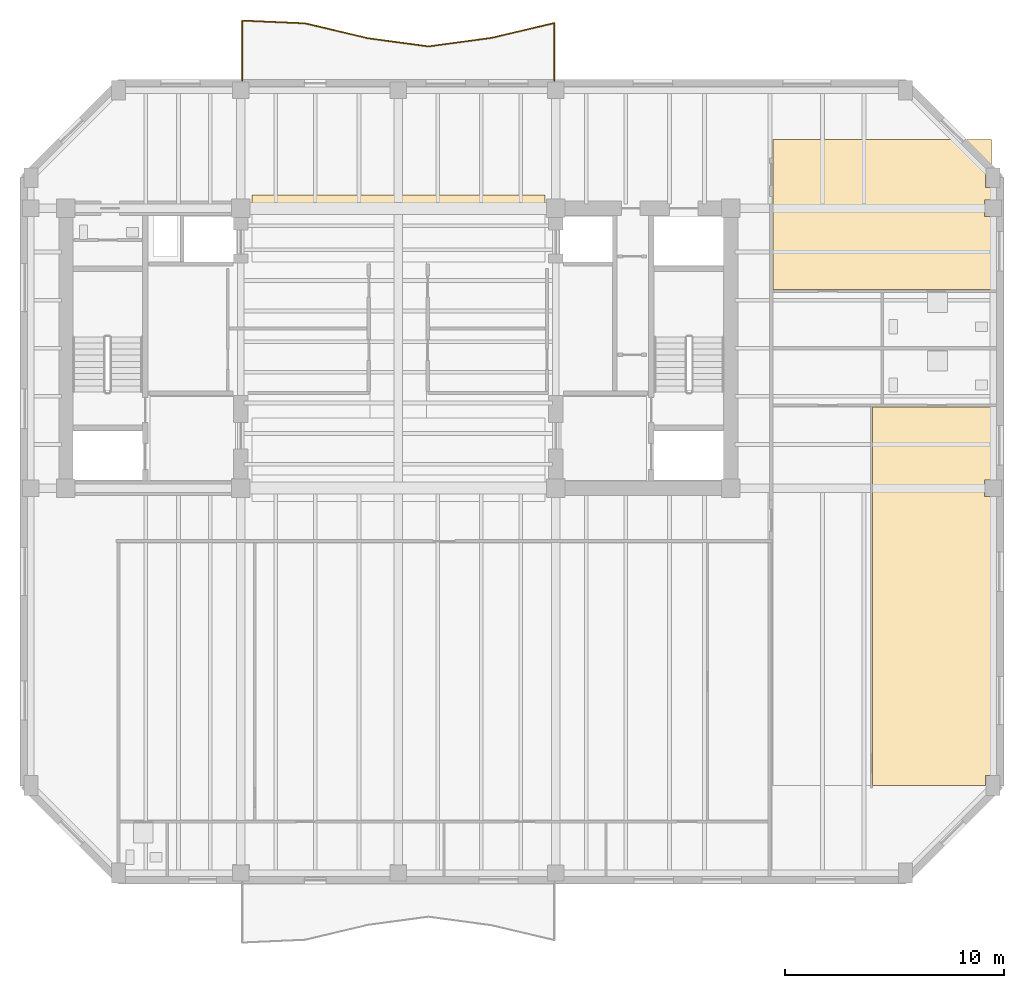
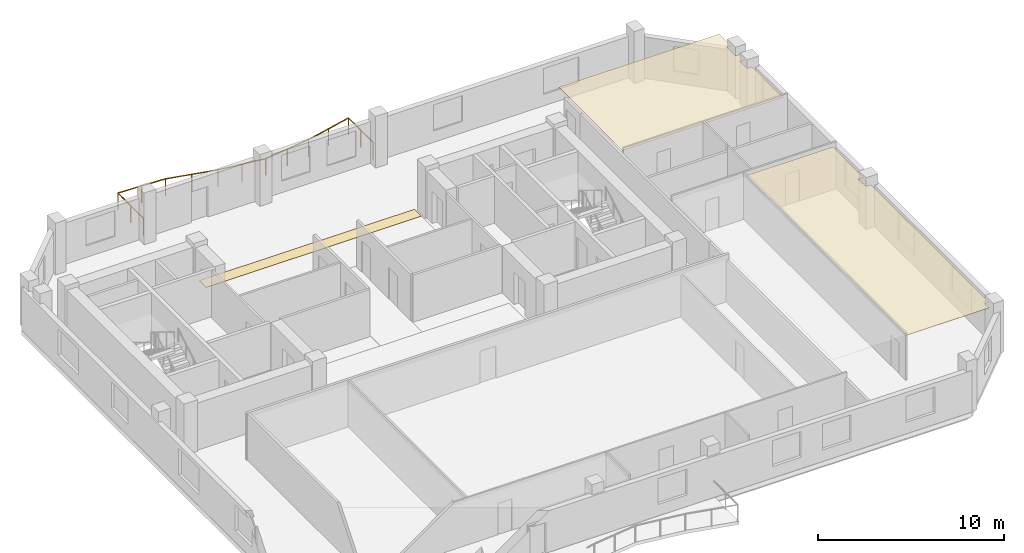
# One storey, part 8 of 9: 3 coverings, 1 railing.
"""IFC4 building model written with IfcOpenShell, lengths in metres."""

from ifc_helpers import new_model, si_unit, direction, frame, origin, origin_2d, place, context, subcontext, project, spatial, polyline, circle, outline, extrude, material, layer, layer_set, type_object, element, save


model = new_model("IFC4")

# Units and contexts
model_context = context("Model", 3, precision=1e-05, world=origin(), true_north=direction((0.0, 1.0)))
body_context = subcontext(model_context, "Body", "Model", "MODEL_VIEW")
ifc_project = project(units=[si_unit("LENGTHUNIT", "METRE"), si_unit("AREAUNIT", "SQUARE_METRE"), si_unit("VOLUMEUNIT", "CUBIC_METRE"), si_unit("PLANEANGLEUNIT", "RADIAN"), si_unit("MASSUNIT", "GRAM", prefix="KILO")], contexts=[model_context])

# Site, building, storey
site_placement = place(None, origin())
site = spatial("IfcSite", under=ifc_project, at=site_placement, CompositionType="ELEMENT")
building_placement = place(site_placement, origin())
building = spatial("IfcBuilding", under=site, at=building_placement, Name="Kranthara Brick Stack", CompositionType="ELEMENT")
storey_placement = place(building_placement, frame((0.0, 0.0, 238.10009765625)))
storey = spatial("IfcBuildingStorey", under=building, at=storey_placement, Name="L62", CompositionType="ELEMENT", Elevation=238.10009765625)

# Coverings
ifc_material_1 = material(Name="Perforated mineral-fibre acoustic ceiling tile", Category="other")
ifc_layer_1 = layer(ifc_material_1, 0.02490234375)
ifc_layer_set_1 = layer_set([ifc_layer_1], Name="Perforated mineral-fibre acoustic ceiling tile")
covering_type_1 = type_object("IfcCoveringType", Name="COV-CEIL-ACOUSTIC", PredefinedType="CEILING", material=ifc_layer_set_1)
covering_1_placement = place(storey_placement, frame((0.0, 0.0, 2.829833984375)))
element("IfcCovering", 1, at=covering_1_placement, inside=storey, type_object=covering_type_1, Name="L62 Unit L62B Private Study Room Acoustic Ceiling", PredefinedType="CEILING", context=body_context, shape_type="SweptSolid", body=[
    extrude(outline(polyline([(49.696044921875, 24.510009765625), (55.1298828125, 24.510009765625), (55.1298828125, 21.18505859375), (54.81494140625, 21.18505859375), (54.81494140625, 20.4150390625), (55.1298828125, 20.4150390625), (55.1298828125, 7.659912109375), (54.864990234375, 7.659912109375), (54.864990234375, 7.199951171875), (49.696044921875, 7.199951171875), (49.696044921875, 24.510009765625)])), origin(), (0.0, 0.0, 1.0), 0.025146484375),
])
covering_2_placement = place(storey_placement, frame((0.0, 0.0, 2.829833984375)))
element("IfcCovering", 2, at=covering_2_placement, inside=storey, type_object=covering_type_1, Name="L62 Unit L62C Studio Apartment Living Acoustic Ceiling", PredefinedType="CEILING", context=body_context, shape_type="SweptSolid", body=[
    extrude(outline(polyline([(45.139892578125, 29.889892578125), (45.139892578125, 36.75), (55.1298828125, 36.75), (55.1298828125, 35.4599609375), (54.864990234375, 35.4599609375), (54.864990234375, 34.5400390625), (55.1298828125, 34.5400390625), (55.1298828125, 33.985107421875), (54.81494140625, 33.985107421875), (54.81494140625, 33.215087890625), (55.1298828125, 33.215087890625), (55.1298828125, 29.889892578125), (45.139892578125, 29.889892578125)])), origin(), (0.0, 0.0, 1.0), 0.025146484375),
])
ifc_material_2 = material(Name="Honed terrazzo and porcelain floor finish", Category="stone")
ifc_layer_2 = layer(ifc_material_2, 0.030029296875)
ifc_layer_set_2 = layer_set([ifc_layer_2], Name="Honed terrazzo and porcelain floor finish")
covering_type_2 = type_object("IfcCoveringType", Name="COV-FLOR-STONE", PredefinedType="FLOORING", material=ifc_layer_set_2)
covering_3_placement = place(storey_placement, origin())
element("IfcCovering", 3, at=covering_3_placement, inside=storey, type_object=covering_type_2, Name="L62 Lift Lobby Stone Flooring", PredefinedType="FLOORING", context=body_context, shape_type="SweptSolid", body=[
    extrude(outline(polyline([(34.699951171875, 33.449951171875), (21.300048828125, 33.449951171875), (21.300048828125, 34.199951171875), (34.699951171875, 34.199951171875), (34.699951171875, 33.449951171875)])), origin(), (0.0, 0.0, 1.0), 0.02978515625),
])

# Railing
ifc_material_3 = material(Name="Bronze anodised aluminium and laminated glass balustrade", Category="aluminium")
railing_type = type_object("IfcRailingType", Name="RL-BALC-1120", PredefinedType="BALUSTRADE", material=ifc_material_3)
railing_placement = place(storey_placement, frame((20.860107421875, 39.43994140625, 0.0)))
element("IfcRailing", 4, at=railing_placement, inside=storey, type_object=railing_type, Name="L62 North Rippling Balcony Balustrade", PredefinedType="BALUSTRADE", context=body_context, shape_type="SweptSolid", body=[
    extrude(circle(Radius=0.02392578125, at=origin_2d()), frame((0.0, 0.0, 1.09619140625), z_axis=(-0.000266595565, 0.999999964463, 0.0), x_axis=(-0.999999964463, -0.000266595565, 0.0)), (0.0, 0.0, 1.0), 2.747314453125),
    extrude(circle(Radius=0.02392578125, at=origin_2d()), frame((-0.000732421875, 2.747314453125, 1.09619140625), z_axis=(0.999029441262, -0.04404742322, 0.0), x_axis=(0.04404742322, 0.999029441262, 0.0)), (0.0, 0.0, 1.0), 2.882080078125),
    extrude(circle(Radius=0.02392578125, at=origin_2d()), frame((2.878662109375, 2.620361328125, 1.09619140625), z_axis=(0.972974082743, -0.230914344099, 0.0), x_axis=(0.230914344099, 0.972974082743, 0.0)), (0.0, 0.0, 1.0), 2.96044921875),
    extrude(circle(Radius=0.02392578125, at=origin_2d()), frame((5.759033203125, 1.936767578125, 1.09619140625), z_axis=(0.991101168429, -0.133110758165, 0.0), x_axis=(0.133110758165, 0.991101168429, 0.0)), (0.0, 0.0, 1.0), 2.7861328125),
    extrude(circle(Radius=0.02392578125, at=origin_2d()), frame((8.520263671875, 1.56591796875, 1.09619140625), z_axis=(0.990958044429, 0.134172106567, 0.0), x_axis=(-0.134172106567, 0.990958044429, 0.0)), (0.0, 0.0, 1.0), 2.906005859375),
    extrude(circle(Radius=0.02392578125, at=origin_2d()), frame((11.39990234375, 1.955810546875, 1.09619140625), z_axis=(0.973325123583, 0.229430171952, 0.0), x_axis=(-0.229430171952, 0.973325123583, 0.0)), (0.0, 0.0, 1.0), 2.959228515625),
    extrude(circle(Radius=0.02392578125, at=origin_2d()), frame((14.2802734375, 2.634765625, 1.09619140625), z_axis=(-0.000185322458, -0.999999982828, 0.0), x_axis=(0.999999982828, -0.000185322458, 0.0)), (0.0, 0.0, 1.0), 2.634765625),
    extrude(circle(Radius=0.02099609375, at=origin_2d()), origin(), (0.0, 0.0, 1.0), 1.072021484375),
    extrude(circle(Radius=0.02099609375, at=origin_2d()), frame((-0.00048828125, 1.37353515625, 0.0)), (0.0, 0.0, 1.0), 1.072021484375),
    extrude(circle(Radius=0.02099609375, at=origin_2d()), frame((-0.000732421875, 2.747314453125, 0.0)), (0.0, 0.0, 1.0), 1.072021484375),
    extrude(circle(Radius=0.02099609375, at=origin_2d()), frame((1.43896484375, 2.683837890625, 0.0)), (0.0, 0.0, 1.0), 1.072021484375),
    extrude(circle(Radius=0.02099609375, at=origin_2d()), frame((2.878662109375, 2.620361328125, 0.0)), (0.0, 0.0, 1.0), 1.072021484375),
    extrude(circle(Radius=0.02099609375, at=origin_2d()), frame((4.31884765625, 2.278564453125, 0.0)), (0.0, 0.0, 1.0), 1.072021484375),
    extrude(circle(Radius=0.02099609375, at=origin_2d()), frame((5.759033203125, 1.936767578125, 0.0)), (0.0, 0.0, 1.0), 1.072021484375),
    extrude(circle(Radius=0.02099609375, at=origin_2d()), frame((7.1396484375, 1.75146484375, 0.0)), (0.0, 0.0, 1.0), 1.072021484375),
    extrude(circle(Radius=0.02099609375, at=origin_2d()), frame((8.520263671875, 1.56591796875, 0.0)), (0.0, 0.0, 1.0), 1.072021484375),
    extrude(circle(Radius=0.02099609375, at=origin_2d()), frame((9.9599609375, 1.7607421875, 0.0)), (0.0, 0.0, 1.0), 1.072021484375),
    extrude(circle(Radius=0.02099609375, at=origin_2d()), frame((11.39990234375, 1.955810546875, 0.0)), (0.0, 0.0, 1.0), 1.072021484375),
    extrude(circle(Radius=0.02099609375, at=origin_2d()), frame((12.840087890625, 2.29541015625, 0.0)), (0.0, 0.0, 1.0), 1.072021484375),
    extrude(circle(Radius=0.02099609375, at=origin_2d()), frame((14.2802734375, 2.634765625, 0.0)), (0.0, 0.0, 1.0), 1.072021484375),
    extrude(circle(Radius=0.02099609375, at=origin_2d()), frame((14.280029296875, 1.3173828125, 0.0)), (0.0, 0.0, 1.0), 1.072021484375),
    extrude(circle(Radius=0.02099609375, at=origin_2d()), frame((14.27978515625, 0.0, 0.0)), (0.0, 0.0, 1.0), 1.072021484375),
])

save(model, "model.ifc")
